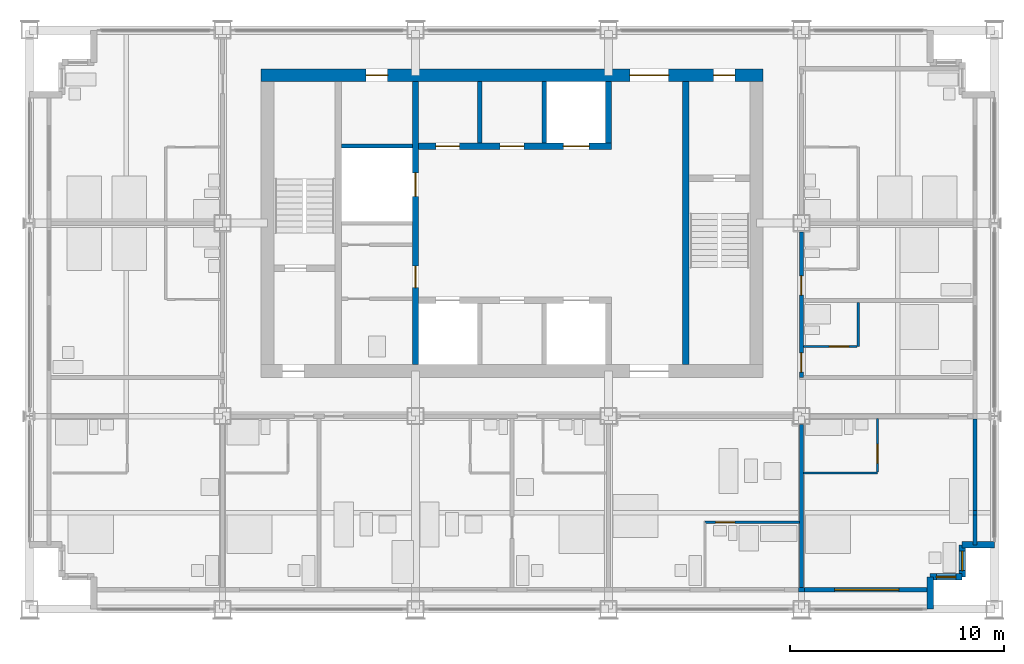
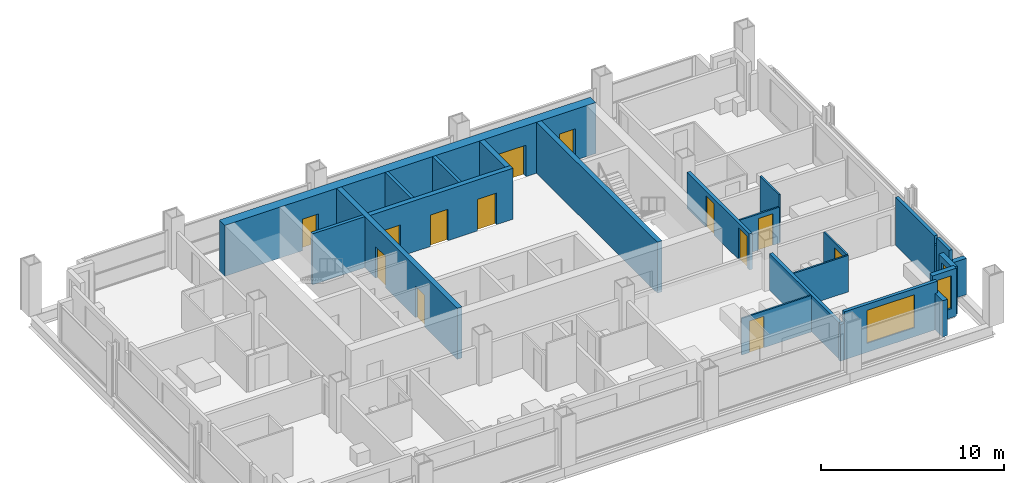
# One storey, part 9 of 13: 24 walls, 13 doors, 3 windows, 16 openings.
"""IFC4 building model written with IfcOpenShell, lengths in metres."""

import ifcopenshell
import ifcopenshell.guid

model = None  # the IFC model being written
_history = None  # IfcOwnerHistory: only IFC2X3 demands one
_inside = {}  # id of a spatial element -> (the spatial element, [elements in it])
_under = {}  # id of a project, library or spatial element -> (it, [spatial elements below it])
_declared = {}  # id of a project -> (the project, [libraries it declares])
_typed = {}  # id of a type object -> (the type object, [elements of that type])
_made_of = {}  # id of a material, layer set ... -> (it, [elements and type objects made of it])


def new_model(schema):
    """Start an empty IFC model of exactly this schema.

    Asked for "IFC4X3", IfcOpenShell would pick the latest addendum, in which some entities
    have other attributes; the version numbers below select the first issue.
    IFC2X3 requires an IfcOwnerHistory on every rooted entity: one is made here for all.
    """
    global model, _history
    if schema == "IFC4X3":
        model = ifcopenshell.file(schema_version=(4, 3, 0, 0))
    else:
        model = ifcopenshell.file(schema=schema)
    _inside.clear()
    _under.clear()
    _declared.clear()
    _typed.clear()
    _made_of.clear()
    _history = None
    if model.schema == "IFC2X3":
        org = make("IfcOrganization", Name="unknown")
        user = make(
            "IfcPersonAndOrganization",
            ThePerson=make("IfcPerson", FamilyName="unknown"),
            TheOrganization=org,
        )
        app = make(
            "IfcApplication",
            ApplicationDeveloper=org,
            Version="unknown",
            ApplicationFullName="unknown",
            ApplicationIdentifier="unknown",
        )
        _history = make(
            "IfcOwnerHistory",
            OwningUser=user,
            OwningApplication=app,
            ChangeAction="ADDED",
            CreationDate=0,
        )
    return model


def make(cls, **values):
    """One entity of the class cls with the attributes given. An attribute that is None is left unset."""
    return model.create_entity(
        cls, **{name: value for name, value in values.items() if value is not None}
    )


def rooted(cls, **values):
    """An entity with a GlobalId (a new one), such as an element, a storey or a relation."""
    return make(cls, GlobalId=ifcopenshell.guid.new(), OwnerHistory=_history, **values)


def si_unit(unit_type, name, prefix=None):
    """IfcSIUnit, for example si_unit("LENGTHUNIT", "METRE", prefix="MILLI")."""
    return make("IfcSIUnit", UnitType=unit_type, Prefix=prefix, Name=name)


def assignment(units):
    """IfcUnitAssignment: the units of a project."""
    return None if units is None else make("IfcUnitAssignment", Units=units)


def point(xyz):
    """IfcCartesianPoint."""
    return None if xyz is None else make("IfcCartesianPoint", Coordinates=xyz)


def direction(xyz):
    """IfcDirection."""
    return None if xyz is None else make("IfcDirection", DirectionRatios=xyz)


def frame(location, z_axis=None, x_axis=None):
    """IfcAxis2Placement3D, a coordinate frame: its origin and axes. An axis left out is left unset."""
    return make(
        "IfcAxis2Placement3D",
        Location=point(location),
        Axis=direction(z_axis),
        RefDirection=direction(x_axis),
    )


def frame_2d(location, x_axis=None):
    """IfcAxis2Placement2D, a coordinate frame in the plane: its origin and x axis."""
    return make(
        "IfcAxis2Placement2D", Location=point(location), RefDirection=direction(x_axis)
    )


def origin():
    """The frame at (0, 0, 0) with its axes left unset."""
    return frame((0.0, 0.0, 0.0))


def place(relative_to, where):
    """IfcLocalPlacement: puts the frame where relative to a parent placement (None: the world)."""
    return make(
        "IfcLocalPlacement", PlacementRelTo=relative_to, RelativePlacement=where
    )


def context(
    kind, dimensions, precision=None, world=None, true_north=None, identifier=None
):
    """IfcGeometricRepresentationContext, for example the 3D "Model" context."""
    return make(
        "IfcGeometricRepresentationContext",
        ContextIdentifier=identifier,
        ContextType=kind,
        CoordinateSpaceDimension=dimensions,
        Precision=precision,
        WorldCoordinateSystem=world,
        TrueNorth=true_north,
    )


def subcontext(parent, identifier, kind, view, scale=None):
    """IfcGeometricRepresentationSubContext, for example "Body" below "Model"."""
    return make(
        "IfcGeometricRepresentationSubContext",
        ContextIdentifier=identifier,
        ContextType=kind,
        ParentContext=parent,
        TargetScale=scale,
        TargetView=view,
    )


def project(units=None, contexts=None):
    """IfcProject with its units and contexts."""
    return rooted(
        "IfcProject",
        Name="project",
        RepresentationContexts=contexts,
        UnitsInContext=assignment(units),
    )


def spatial(cls, under=None, at=None, **own):
    """A site, building, storey or space (cls), placed at a placement, below another one or the project."""
    s = rooted(cls, ObjectPlacement=at, **own)
    if under is not None:
        _under.setdefault(under.id(), (under, []))[1].append(s)
    return s


def profile(cls, at=None, kind="AREA", **sizes):
    """A parametric profile (cls). Its sizes go by their IFC names, for example OverallWidth=200.0."""
    return make(cls, ProfileType=kind, Position=at, **sizes)


def rectangle(**sizes):
    """IfcRectangleProfileDef."""
    return profile("IfcRectangleProfileDef", **sizes)


def extrude(swept, where, along, depth):
    """IfcExtrudedAreaSolid: the profile swept, set in the frame where, extruded along a direction by depth."""
    return make(
        "IfcExtrudedAreaSolid",
        SweptArea=swept,
        Position=where,
        ExtrudedDirection=direction(along),
        Depth=depth,
    )


def shape(context_of_items, identifier, shape_type, items):
    """IfcShapeRepresentation: the items that make up one representation, for example the "Body"."""
    return make(
        "IfcShapeRepresentation",
        ContextOfItems=context_of_items,
        RepresentationIdentifier=identifier,
        RepresentationType=shape_type,
        Items=items,
    )


def material(Name=None, Category=None):
    """IfcMaterial."""
    return make("IfcMaterial", Name=Name, Category=Category)


def layer(
    of_material, thickness, ventilated=None, Name=None, Category=None, Priority=None
):
    """IfcMaterialLayer: one layer of a wall or slab, of a material (None: an air gap)."""
    return make(
        "IfcMaterialLayer",
        Material=of_material,
        LayerThickness=thickness,
        IsVentilated=ventilated,
        Name=Name,
        Category=Category,
        Priority=Priority,
    )


def layer_set(layers, Name=None):
    """IfcMaterialLayerSet."""
    return make("IfcMaterialLayerSet", MaterialLayers=layers, LayerSetName=Name)


def made_of(thing, what):
    """Note that an element or type object is made of a material, layer set ...; save() writes the relation."""
    if what is not None:
        _made_of.setdefault(what.id(), (what, []))[1].append(thing)
    return thing


def type_object(cls, material=None, **own):
    """A type object (cls), such as IfcWallType, which elements share."""
    return made_of(rooted(cls, **own), material)


def element(
    cls,
    number,
    at=None,
    inside=None,
    cuts=None,
    type_object=None,
    material=None,
    context=None,
    identifier="Body",
    shape_type=None,
    held_by="IfcProductDefinitionShape",
    body=None,
    shapes=None,
    **own,
):
    """One element of the class cls, such as IfcWall. Its Tag is "e" and its number.

    at: its placement. inside: the storey or other place that contains it. cuts: it is an
    opening in that element (IfcRelVoidsElement). A single representation is given by context,
    identifier, shape_type and body (its items); several are given by shapes. held_by: the class
    of the entity that holds the representations. save() writes the other relations.
    """
    e = rooted(cls, Tag="e%d" % number, ObjectPlacement=at, **own)
    if body is not None:
        shapes = [shape(context, identifier, shape_type, body)]
    if shapes is not None:
        e.Representation = make(held_by, Representations=shapes)
    if inside is not None:
        _inside.setdefault(inside.id(), (inside, []))[1].append(e)
    if cuts is not None:
        rooted(
            "IfcRelVoidsElement", RelatingBuildingElement=cuts, RelatedOpeningElement=e
        )
    if type_object is not None:
        _typed.setdefault(type_object.id(), (type_object, []))[1].append(e)
    return made_of(e, material)


def fill(opening, filler):
    """IfcRelFillsElement: the door or window that sits in an opening."""
    return rooted(
        "IfcRelFillsElement",
        RelatingOpeningElement=opening,
        RelatedBuildingElement=filler,
    )


def aggregate(whole, parts):
    """IfcRelAggregates: a whole, such as a stair, and the parts it consists of."""
    return rooted("IfcRelAggregates", RelatingObject=whole, RelatedObjects=parts)


def save(model, path):
    """Write the relations noted so far, then the file.

    IfcRelAggregates (storeys below a building ...), IfcRelContainedInSpatialStructure (elements
    in a storey), IfcRelDefinesByType, IfcRelAssociatesMaterial and IfcRelDeclares: one each for
    every whole, place, type object, material and project.
    """
    for whole, parts in _under.values():
        aggregate(whole, parts)
    for where, things in _inside.values():
        rooted(
            "IfcRelContainedInSpatialStructure",
            RelatedElements=things,
            RelatingStructure=where,
        )
    for kind, things in _typed.values():
        rooted("IfcRelDefinesByType", RelatedObjects=things, RelatingType=kind)
    for what, things in _made_of.values():
        rooted("IfcRelAssociatesMaterial", RelatedObjects=things, RelatingMaterial=what)
    for by, libraries in _declared.values():
        rooted("IfcRelDeclares", RelatingContext=by, RelatedDefinitions=libraries)
    model.write(path)


model = new_model("IFC4")

# Units and contexts
model_context = context("Model", 3, precision=1e-05, world=origin(), true_north=direction((0.0, 1.0)))
body_context = subcontext(model_context, "Body", "Model", "MODEL_VIEW")
ifc_project = project(units=[si_unit("LENGTHUNIT", "METRE"), si_unit("AREAUNIT", "SQUARE_METRE"), si_unit("VOLUMEUNIT", "CUBIC_METRE"), si_unit("PLANEANGLEUNIT", "RADIAN"), si_unit("MASSUNIT", "GRAM", prefix="KILO")], contexts=[model_context])

# Site, building, storey
site_placement = place(None, origin())
site = spatial("IfcSite", under=ifc_project, at=site_placement, CompositionType="ELEMENT")
building_placement = place(site_placement, origin())
building = spatial("IfcBuilding", under=site, at=building_placement, Name="Loomwork Tower", CompositionType="ELEMENT")
storey_placement = place(building_placement, frame((0.0, 0.0, 194.39990234375)))
storey = spatial("IfcBuildingStorey", under=building, at=storey_placement, Name="L53", CompositionType="ELEMENT", Elevation=194.39990234375)

# Wall, openings, doors
ifc_material_1 = material(Name="Concrete 14000 psi (97 MPa)", Category="concrete")
ifc_layer_1 = layer(ifc_material_1, 0.300048828125)
ifc_layer_set_1 = layer_set([ifc_layer_1], Name="Core shear wall 300")
wall_type_1 = type_object("IfcWallType", Name="Core shear wall 300", PredefinedType="SHEAR", material=ifc_layer_set_1)
wall_1_placement = place(storey_placement, frame((18.0, 11.39990234375, 0.0), z_axis=(0.0, 0.0, 1.0), x_axis=(0.0, 1.0, 0.0)))
wall_1 = element("IfcWall", 1, at=wall_1_placement, inside=storey, type_object=wall_type_1, Name="Lobby west wall L53", PredefinedType="SHEAR", context=body_context, shape_type="SweptSolid", body=[
    extrude(rectangle(XDim=13.2001953125, YDim=0.300048828125, at=frame_2d((6.60009765625, 0.0))), origin(), (0.0, 0.0, 1.0), 3.400146484375),
])
opening_1_placement = place(wall_1_placement, frame((3.60009765625, 0.0, 0.0)))
opening_1 = element("IfcOpeningElement", 2, at=opening_1_placement, cuts=wall_1, Name="Opening D5", PredefinedType="OPENING", context=body_context, shape_type="SweptSolid", body=[
    extrude(rectangle(XDim=1.0, YDim=2.10009765625, at=frame_2d((0.5, 1.050048828125))), frame((0.0, 0.159912109375, 0.0), z_axis=(0.0, -1.0, 0.0), x_axis=(1.0, 0.0, 0.0)), (0.0, 0.0, 1.0), 0.320068359375),
])
opening_2_placement = place(wall_1_placement, frame((7.85009765625, 0.0, 0.0)))
opening_2 = element("IfcOpeningElement", 3, at=opening_2_placement, cuts=wall_1, Name="Opening LD1", PredefinedType="OPENING", context=body_context, shape_type="SweptSolid", body=[
    extrude(rectangle(XDim=1.10009765625, YDim=2.10009765625, at=frame_2d((0.550048828125, 1.050048828125))), frame((0.0, 0.159912109375, 0.0), z_axis=(0.0, -1.0, 0.0), x_axis=(1.0, 0.0, 0.0)), (0.0, 0.0, 1.0), 0.320068359375),
])
ifc_material_2 = material(Name="Hollow metal door and frame")
door_type_1 = type_object("IfcDoorType", Name="Lift landing door 1100", OperationType="SLIDING_TO_LEFT", PredefinedType="DOOR", material=ifc_material_2)
door_1_placement = place(opening_2_placement, origin())
door_1 = element("IfcDoor", 4, at=door_1_placement, inside=storey, type_object=door_type_1, Name="Lift landing door LC2", OperationType="SLIDING_TO_LEFT", OverallHeight=2.10009765625, OverallWidth=1.10009765625, PredefinedType="DOOR", context=body_context, shape_type="SweptSolid", body=[
    extrude(rectangle(XDim=1.10009765625, YDim=2.10009765625, at=frame_2d((0.550048828125, 1.050048828125))), frame((0.0, 0.02490234375, 0.0), z_axis=(0.0, -1.0, 0.0), x_axis=(1.0, 0.0, 0.0)), (0.0, 0.0, 1.0), 0.050048828125),
])
fill(opening_2, door_1)
ifc_material_3 = material(Name="Hollow metal door and frame")
door_type_2 = type_object("IfcDoorType", Name="Service door 1000", OperationType="SINGLE_SWING_LEFT", PredefinedType="DOOR", material=ifc_material_3)
door_2_placement = place(opening_1_placement, origin())
door_2 = element("IfcDoor", 5, at=door_2_placement, inside=storey, type_object=door_type_2, Name="Back-of-house door south", OperationType="SINGLE_SWING_LEFT", OverallHeight=2.10009765625, OverallWidth=1.0, PredefinedType="DOOR", context=body_context, shape_type="SweptSolid", body=[
    extrude(rectangle(XDim=1.0, YDim=2.10009765625, at=frame_2d((0.5, 1.050048828125))), frame((0.0, 0.02490234375, 0.0), z_axis=(0.0, -1.0, 0.0), x_axis=(1.0, 0.0, 0.0)), (0.0, 0.0, 1.0), 0.050048828125),
])
fill(opening_1, door_2)

wall_2_placement = place(storey_placement, frame((18.14990234375, 21.60009765625, 0.0), z_axis=(0.0, 0.0, 1.0), x_axis=(1.0, 0.0, 0.0)))
wall_2 = element("IfcWall", 6, at=wall_2_placement, inside=storey, type_object=wall_type_1, Name="Lift front wall north L53", PredefinedType="SHEAR", context=body_context, shape_type="SweptSolid", body=[
    extrude(rectangle(XDim=9.0, YDim=0.300048828125, at=frame_2d((4.5, 0.0))), origin(), (0.0, 0.0, 1.0), 3.400146484375),
])
opening_3_placement = place(wall_2_placement, frame((6.75, 0.0, 0.0)))
opening_3 = element("IfcOpeningElement", 7, at=opening_3_placement, cuts=wall_2, Name="Opening LD2", PredefinedType="OPENING", context=body_context, shape_type="SweptSolid", body=[
    extrude(rectangle(XDim=1.199951171875, YDim=2.10009765625, at=frame_2d((0.60009765625, 1.050048828125))), frame((0.0, 0.159912109375, 0.0), z_axis=(0.0, -1.0, 0.0), x_axis=(1.0, 0.0, 0.0)), (0.0, 0.0, 1.0), 0.320068359375),
])
opening_4_placement = place(wall_2_placement, frame((0.800048828125, 0.0, 0.0)))
opening_4 = element("IfcOpeningElement", 8, at=opening_4_placement, cuts=wall_2, Name="Opening D17", PredefinedType="OPENING", context=body_context, shape_type="SweptSolid", body=[
    extrude(rectangle(XDim=1.10009765625, YDim=2.10009765625, at=frame_2d((0.550048828125, 1.050048828125))), frame((0.0, 0.159912109375, 0.0), z_axis=(0.0, -1.0, 0.0), x_axis=(1.0, 0.0, 0.0)), (0.0, 0.0, 1.0), 0.320068359375),
])
opening_5_placement = place(wall_2_placement, frame((3.800048828125, 0.0, 0.0)))
opening_5 = element("IfcOpeningElement", 9, at=opening_5_placement, cuts=wall_2, Name="Opening D17", PredefinedType="OPENING", context=body_context, shape_type="SweptSolid", body=[
    extrude(rectangle(XDim=1.10009765625, YDim=2.10009765625, at=frame_2d((0.550048828125, 1.050048828125))), frame((0.0, 0.159912109375, 0.0), z_axis=(0.0, -1.0, 0.0), x_axis=(1.0, 0.0, 0.0)), (0.0, 0.0, 1.0), 0.320068359375),
])
ifc_material_4 = material(Name="Hollow metal door and frame")
door_type_3 = type_object("IfcDoorType", Name="Lift landing door 1200", OperationType="SLIDING_TO_LEFT", PredefinedType="DOOR", material=ifc_material_4)
door_3_placement = place(opening_3_placement, origin())
door_3 = element("IfcDoor", 10, at=door_3_placement, inside=storey, type_object=door_type_3, Name="Lift landing door LF2", OperationType="SLIDING_TO_LEFT", OverallHeight=2.10009765625, OverallWidth=1.199951171875, PredefinedType="DOOR", context=body_context, shape_type="SweptSolid", body=[
    extrude(rectangle(XDim=1.199951171875, YDim=2.10009765625, at=frame_2d((0.60009765625, 1.050048828125))), frame((0.0, 0.02490234375, 0.0), z_axis=(0.0, -1.0, 0.0), x_axis=(1.0, 0.0, 0.0)), (0.0, 0.0, 1.0), 0.050048828125),
])
fill(opening_3, door_3)
ifc_material_5 = material(Name="Hollow metal door and frame")
door_type_4 = type_object("IfcDoorType", Name="Service room door 1100", OperationType="SINGLE_SWING_LEFT", PredefinedType="DOOR", material=ifc_material_5)
door_4_placement = place(opening_4_placement, origin())
door_4 = element("IfcDoor", 11, at=door_4_placement, inside=storey, type_object=door_type_4, Name="Storage room door L53", OperationType="SINGLE_SWING_LEFT", OverallHeight=2.10009765625, OverallWidth=1.10009765625, PredefinedType="DOOR", context=body_context, shape_type="SweptSolid", body=[
    extrude(rectangle(XDim=1.10009765625, YDim=2.10009765625, at=frame_2d((0.550048828125, 1.050048828125))), frame((0.0, 0.02490234375, 0.0), z_axis=(0.0, -1.0, 0.0), x_axis=(1.0, 0.0, 0.0)), (0.0, 0.0, 1.0), 0.050048828125),
])
fill(opening_4, door_4)
door_5_placement = place(opening_5_placement, origin())
door_5 = element("IfcDoor", 12, at=door_5_placement, inside=storey, type_object=door_type_4, Name="Linen and housekeeping store door L53", OperationType="SINGLE_SWING_LEFT", OverallHeight=2.10009765625, OverallWidth=1.10009765625, PredefinedType="DOOR", context=body_context, shape_type="SweptSolid", body=[
    extrude(rectangle(XDim=1.10009765625, YDim=2.10009765625, at=frame_2d((0.550048828125, 1.050048828125))), frame((0.0, 0.02490234375, 0.0), z_axis=(0.0, -1.0, 0.0), x_axis=(1.0, 0.0, 0.0)), (0.0, 0.0, 1.0), 0.050048828125),
])
fill(opening_5, door_5)

# Walls
wall_3_placement = place(storey_placement, frame((27.0, 21.75, 0.0), z_axis=(0.0, 0.0, 1.0), x_axis=(0.0, 1.0, 0.0)))
element("IfcWall", 13, at=wall_3_placement, inside=storey, type_object=wall_type_1, Name="Lift shaft end wall north L53", PredefinedType="SHEAR", context=body_context, shape_type="SweptSolid", body=[
    extrude(rectangle(XDim=2.85009765625, YDim=0.300048828125, at=frame_2d((1.425048828125, 0.0))), origin(), (0.0, 0.0, 1.0), 3.400146484375),
])
wall_4_placement = place(storey_placement, frame((30.60009765625, 11.39990234375, 0.0), z_axis=(0.0, 0.0, 1.0), x_axis=(0.0, 1.0, 0.0)))
element("IfcWall", 14, at=wall_4_placement, inside=storey, type_object=wall_type_1, Name="Stair B west wall L53", PredefinedType="SHEAR", context=body_context, shape_type="SweptSolid", body=[
    extrude(rectangle(XDim=13.2001953125, YDim=0.300048828125, at=frame_2d((6.60009765625, 0.0))), origin(), (0.0, 0.0, 1.0), 3.400146484375),
])

# Wall, openings, doors
ifc_material_6 = material(Name="Concrete 14000 psi (97 MPa)", Category="concrete")
ifc_layer_2 = layer(ifc_material_6, 0.60009765625)
ifc_layer_set_2 = layer_set([ifc_layer_2], Name="Core shear wall 600")
wall_type_2 = type_object("IfcWallType", Name="Core shear wall 600", PredefinedType="SHEAR", material=ifc_layer_set_2)
wall_5_placement = place(storey_placement, frame((10.800048828125, 24.89990234375, 0.0), z_axis=(0.0, 0.0, 1.0), x_axis=(1.0, 0.0, 0.0)))
wall_5 = element("IfcWall", 15, at=wall_5_placement, inside=storey, type_object=wall_type_2, Name="Core wall north L53", PredefinedType="SHEAR", context=body_context, shape_type="SweptSolid", body=[
    extrude(rectangle(XDim=23.39990234375, YDim=0.60009765625, at=frame_2d((11.699951171875, 0.0))), origin(), (0.0, 0.0, 1.0), 3.400146484375),
])
opening_6_placement = place(wall_5_placement, frame((17.199951171875, 0.0, 0.0)))
opening_6 = element("IfcOpeningElement", 16, at=opening_6_placement, cuts=wall_5, Name="Opening D6", PredefinedType="OPENING", context=body_context, shape_type="SweptSolid", body=[
    extrude(rectangle(XDim=1.800048828125, YDim=2.10009765625, at=frame_2d((0.89990234375, 1.050048828125))), frame((0.0, 0.31005859375, 0.0), z_axis=(0.0, -1.0, 0.0), x_axis=(1.0, 0.0, 0.0)), (0.0, 0.0, 1.0), 0.6201171875),
])
opening_7_placement = place(wall_5_placement, frame((21.10009765625, 0.0, 0.0)))
opening_7 = element("IfcOpeningElement", 17, at=opening_7_placement, cuts=wall_5, Name="Opening D4", PredefinedType="OPENING", context=body_context, shape_type="SweptSolid", body=[
    extrude(rectangle(XDim=1.0, YDim=2.10009765625, at=frame_2d((0.5, 1.050048828125))), frame((0.0, 0.31005859375, 0.0), z_axis=(0.0, -1.0, 0.0), x_axis=(1.0, 0.0, 0.0)), (0.0, 0.0, 1.0), 0.6201171875),
])
opening_8_placement = place(wall_5_placement, frame((4.89990234375, 0.0, 0.0)))
opening_8 = element("IfcOpeningElement", 18, at=opening_8_placement, cuts=wall_5, Name="Opening D5", PredefinedType="OPENING", context=body_context, shape_type="SweptSolid", body=[
    extrude(rectangle(XDim=1.0, YDim=2.10009765625, at=frame_2d((0.5, 1.050048828125))), frame((0.0, 0.31005859375, 0.0), z_axis=(0.0, -1.0, 0.0), x_axis=(1.0, 0.0, 0.0)), (0.0, 0.0, 1.0), 0.6201171875),
])
ifc_material_7 = material(Name="Hollow metal door and frame")
door_type_5 = type_object("IfcDoorType", Name="Lobby passage double door 1800", OperationType="DOUBLE_DOOR_SINGLE_SWING", PredefinedType="DOOR", material=ifc_material_7)
door_6_placement = place(opening_6_placement, frame((1.800048828125, 0.0, 0.0), z_axis=(0.0, 0.0, 1.0), x_axis=(-1.0, 0.0, 0.0)))
door_6 = element("IfcDoor", 19, at=door_6_placement, inside=storey, type_object=door_type_5, Name="Lobby passage door north", OperationType="DOUBLE_DOOR_SINGLE_SWING", OverallHeight=2.10009765625, OverallWidth=1.800048828125, PredefinedType="DOOR", context=body_context, shape_type="SweptSolid", body=[
    extrude(rectangle(XDim=1.800048828125, YDim=2.10009765625, at=frame_2d((0.89990234375, 1.050048828125))), frame((0.0, 0.02490234375, 0.0), z_axis=(0.0, -1.0, 0.0), x_axis=(1.0, 0.0, 0.0)), (0.0, 0.0, 1.0), 0.050048828125),
])
fill(opening_6, door_6)
door_7_placement = place(opening_8_placement, frame((1.0, 0.0, 0.0), z_axis=(0.0, 0.0, 1.0), x_axis=(-1.0, 0.0, 0.0)))
door_7 = element("IfcDoor", 20, at=door_7_placement, inside=storey, type_object=door_type_2, Name="Back-of-house door north", OperationType="SINGLE_SWING_LEFT", OverallHeight=2.10009765625, OverallWidth=1.0, PredefinedType="DOOR", context=body_context, shape_type="SweptSolid", body=[
    extrude(rectangle(XDim=1.0, YDim=2.10009765625, at=frame_2d((0.5, 1.050048828125))), frame((0.0, 0.02490234375, 0.0), z_axis=(0.0, -1.0, 0.0), x_axis=(1.0, 0.0, 0.0)), (0.0, 0.0, 1.0), 0.050048828125),
])
fill(opening_8, door_7)
ifc_material_8 = material(Name="Hollow metal door and frame")
door_type_6 = type_object("IfcDoorType", Name="Stair door 1000", OperationType="SINGLE_SWING_RIGHT", PredefinedType="DOOR", material=ifc_material_8)
door_8_placement = place(opening_7_placement, frame((1.0, 0.0, 0.0), z_axis=(0.0, 0.0, 1.0), x_axis=(-1.0, 0.0, 0.0)))
door_8 = element("IfcDoor", 21, at=door_8_placement, inside=storey, type_object=door_type_6, Name="Stair B vestibule door", OperationType="SINGLE_SWING_LEFT", OverallHeight=2.10009765625, OverallWidth=1.0, PredefinedType="DOOR", context=body_context, shape_type="SweptSolid", body=[
    extrude(rectangle(XDim=1.0, YDim=2.10009765625, at=frame_2d((0.5, 1.050048828125))), frame((0.0, 0.02490234375, 0.0), z_axis=(0.0, -1.0, 0.0), x_axis=(1.0, 0.0, 0.0)), (0.0, 0.0, 1.0), 0.050048828125),
])
fill(opening_7, door_8)

ifc_material_9 = material(Name="Gypsum board on steel studs, one-hour", Category="steel")
ifc_layer_3 = layer(ifc_material_9, 0.199951171875)
ifc_layer_set_3 = layer_set([ifc_layer_3], Name="Corridor wall 200")
wall_type_3 = type_object("IfcWallType", Name="Corridor wall 200", PredefinedType="PARTITIONING", material=ifc_layer_set_3)
wall_6_placement = place(storey_placement, frame((36.0, 10.800048828125, 0.0), z_axis=(0.0, 0.0, 1.0), x_axis=(0.0, 1.0, 0.0)))
wall_6 = element("IfcWall", 22, at=wall_6_placement, inside=storey, type_object=wall_type_3, Name="East corridor wall 1", PredefinedType="PARTITIONING", context=body_context, shape_type="SweptSolid", body=[
    extrude(rectangle(XDim=6.800048828125, YDim=0.199951171875, at=frame_2d((3.39990234375, 0.0))), origin(), (0.0, 0.0, 1.0), 2.405029296875),
])
opening_9_placement = place(wall_6_placement, frame((0.25, 0.0, 0.0)))
opening_9 = element("IfcOpeningElement", 23, at=opening_9_placement, cuts=wall_6, Name="Opening D1", PredefinedType="OPENING", context=body_context, shape_type="SweptSolid", body=[
    extrude(rectangle(XDim=0.89990234375, YDim=2.10009765625, at=frame_2d((0.449951171875, 1.050048828125))), frame((0.0, 0.10986328125, 0.0), z_axis=(0.0, -1.0, 0.0), x_axis=(1.0, 0.0, 0.0)), (0.0, 0.0, 1.0), 0.219970703125),
])
opening_10_placement = place(wall_6_placement, frame((3.85009765625, 0.0, 0.0)))
opening_10 = element("IfcOpeningElement", 24, at=opening_10_placement, cuts=wall_6, Name="Opening D1", PredefinedType="OPENING", context=body_context, shape_type="SweptSolid", body=[
    extrude(rectangle(XDim=0.89990234375, YDim=2.10009765625, at=frame_2d((0.449951171875, 1.050048828125))), frame((0.0, 0.10986328125, 0.0), z_axis=(0.0, -1.0, 0.0), x_axis=(1.0, 0.0, 0.0)), (0.0, 0.0, 1.0), 0.219970703125),
])
ifc_material_10 = material(Name="Hollow metal door and frame")
door_type_7 = type_object("IfcDoorType", Name="Guest room entry door 900", OperationType="SINGLE_SWING_LEFT", PredefinedType="DOOR", material=ifc_material_10)
door_9_placement = place(opening_9_placement, frame((0.89990234375, 0.0, 0.0), z_axis=(0.0, 0.0, 1.0), x_axis=(-1.0, 0.0, 0.0)))
door_9 = element("IfcDoor", 25, at=door_9_placement, inside=storey, type_object=door_type_7, Name="Guest room entry door L53 9", OperationType="SINGLE_SWING_RIGHT", OverallHeight=2.10009765625, OverallWidth=0.89990234375, PredefinedType="DOOR", context=body_context, shape_type="SweptSolid", body=[
    extrude(rectangle(XDim=0.89990234375, YDim=2.10009765625, at=frame_2d((0.449951171875, 1.050048828125))), frame((0.0, 0.02490234375, 0.0), z_axis=(0.0, -1.0, 0.0), x_axis=(1.0, 0.0, 0.0)), (0.0, 0.0, 1.0), 0.050048828125),
])
fill(opening_9, door_9)
door_10_placement = place(opening_10_placement, frame((0.89990234375, 0.0, 0.0), z_axis=(0.0, 0.0, 1.0), x_axis=(-1.0, 0.0, 0.0)))
door_10 = element("IfcDoor", 26, at=door_10_placement, inside=storey, type_object=door_type_7, Name="Guest room entry door L53 10", OperationType="SINGLE_SWING_RIGHT", OverallHeight=2.10009765625, OverallWidth=0.89990234375, PredefinedType="DOOR", context=body_context, shape_type="SweptSolid", body=[
    extrude(rectangle(XDim=0.89990234375, YDim=2.10009765625, at=frame_2d((0.449951171875, 1.050048828125))), frame((0.0, 0.02490234375, 0.0), z_axis=(0.0, -1.0, 0.0), x_axis=(1.0, 0.0, 0.0)), (0.0, 0.0, 1.0), 0.050048828125),
])
fill(opening_10, door_10)

# Wall, opening, door
ifc_material_11 = material(Name="Cement board on steel studs", Category="steel")
ifc_layer_4 = layer(ifc_material_11, 0.10009765625)
ifc_layer_set_4 = layer_set([ifc_layer_4], Name="En-suite partition 100")
wall_type_4 = type_object("IfcWallType", Name="En-suite partition 100", PredefinedType="PARTITIONING", material=ifc_layer_set_4)
wall_7_placement = place(storey_placement, frame((31.5, 4.050048828125, 0.0), z_axis=(0.0, 0.0, 1.0), x_axis=(1.0, 0.0, 0.0)))
wall_7 = element("IfcWall", 27, at=wall_7_placement, inside=storey, type_object=wall_type_4, Name="Spa bathroom wall L53 room 5", PredefinedType="PARTITIONING", context=body_context, shape_type="SweptSolid", body=[
    extrude(rectangle(XDim=4.39990234375, YDim=0.10009765625, at=frame_2d((2.199951171875, 0.0))), origin(), (0.0, 0.0, 1.0), 2.43798828125),
])
opening_11_placement = place(wall_7_placement, frame((0.5, 0.0, 0.0)))
opening_11 = element("IfcOpeningElement", 28, at=opening_11_placement, cuts=wall_7, Name="Opening D2", PredefinedType="OPENING", context=body_context, shape_type="SweptSolid", body=[
    extrude(rectangle(XDim=0.89990234375, YDim=2.10009765625, at=frame_2d((0.449951171875, 1.050048828125))), frame((0.0, 0.06005859375, 0.0), z_axis=(0.0, -1.0, 0.0), x_axis=(1.0, 0.0, 0.0)), (0.0, 0.0, 1.0), 0.1201171875),
])
ifc_material_12 = material(Name="Hollow metal door and frame")
door_type_8 = type_object("IfcDoorType", Name="En-suite door 900", OperationType="SINGLE_SWING_LEFT", PredefinedType="DOOR", material=ifc_material_12)
door_11_placement = place(opening_11_placement, frame((0.89990234375, 0.0, 0.0), z_axis=(0.0, 0.0, 1.0), x_axis=(-1.0, 0.0, 0.0)))
door_11 = element("IfcDoor", 29, at=door_11_placement, inside=storey, type_object=door_type_8, Name="Spa bathroom door room 5", OperationType="SINGLE_SWING_RIGHT", OverallHeight=2.10009765625, OverallWidth=0.89990234375, PredefinedType="DOOR", context=body_context, shape_type="SweptSolid", body=[
    extrude(rectangle(XDim=0.89990234375, YDim=2.10009765625, at=frame_2d((0.449951171875, 1.050048828125))), frame((0.0, 0.02490234375, 0.0), z_axis=(0.0, -1.0, 0.0), x_axis=(1.0, 0.0, 0.0)), (0.0, 0.0, 1.0), 0.050048828125),
])
fill(opening_11, door_11)

# Wall
wall_8_placement = place(storey_placement, frame((36.10009765625, 6.35009765625, 0.0), z_axis=(0.0, 0.0, 1.0), x_axis=(1.0, 0.0, 0.0)))
element("IfcWall", 30, at=wall_8_placement, inside=storey, type_object=wall_type_4, Name="En-suite wall L53 room 6", PredefinedType="PARTITIONING", context=body_context, shape_type="SweptSolid", body=[
    extrude(rectangle(XDim=3.449951171875, YDim=0.10009765625, at=frame_2d((1.72509765625, 0.0))), origin(), (0.0, 0.0, 1.0), 2.43798828125),
])

# Wall, opening, door
wall_9_placement = place(storey_placement, frame((39.550048828125, 8.89990234375, 0.0), z_axis=(0.0, 0.0, 1.0), x_axis=(0.0, -1.0, 0.0)))
wall_9 = element("IfcWall", 31, at=wall_9_placement, inside=storey, type_object=wall_type_4, Name="En-suite side wall L53 room 6", PredefinedType="PARTITIONING", context=body_context, shape_type="SweptSolid", body=[
    extrude(rectangle(XDim=2.5, YDim=0.10009765625, at=frame_2d((1.25, 0.0))), origin(), (0.0, 0.0, 1.0), 2.43798828125),
])
opening_12_placement = place(wall_9_placement, frame((1.199951171875, 0.0, 0.0)))
opening_12 = element("IfcOpeningElement", 32, at=opening_12_placement, cuts=wall_9, Name="Opening D2", PredefinedType="OPENING", context=body_context, shape_type="SweptSolid", body=[
    extrude(rectangle(XDim=0.89990234375, YDim=2.10009765625, at=frame_2d((0.449951171875, 1.050048828125))), frame((0.0, 0.06005859375, 0.0), z_axis=(0.0, -1.0, 0.0), x_axis=(1.0, 0.0, 0.0)), (0.0, 0.0, 1.0), 0.1201171875),
])
door_12_placement = place(opening_12_placement, frame((0.89990234375, 0.0, 0.0), z_axis=(0.0, 0.0, 1.0), x_axis=(-1.0, 0.0, 0.0)))
door_12 = element("IfcDoor", 33, at=door_12_placement, inside=storey, type_object=door_type_8, Name="En-suite door room 6", OperationType="SINGLE_SWING_LEFT", OverallHeight=2.10009765625, OverallWidth=0.89990234375, PredefinedType="DOOR", context=body_context, shape_type="SweptSolid", body=[
    extrude(rectangle(XDim=0.89990234375, YDim=2.10009765625, at=frame_2d((0.449951171875, 1.050048828125))), frame((0.0, 0.02490234375, 0.0), z_axis=(0.0, -1.0, 0.0), x_axis=(1.0, 0.0, 0.0)), (0.0, 0.0, 1.0), 0.050048828125),
])
fill(opening_12, door_12)

# Wall
wall_10_placement = place(storey_placement, frame((38.64990234375, 12.25, 0.0), z_axis=(0.0, 0.0, 1.0), x_axis=(0.0, 1.0, 0.0)))
element("IfcWall", 34, at=wall_10_placement, inside=storey, type_object=wall_type_4, Name="En-suite wall L53 room 9", PredefinedType="PARTITIONING", context=body_context, shape_type="SweptSolid", body=[
    extrude(rectangle(XDim=2.050048828125, YDim=0.10009765625, at=frame_2d((1.02490234375, 0.0))), origin(), (0.0, 0.0, 1.0), 3.2001953125),
])

# Wall, opening, door
wall_11_placement = place(storey_placement, frame((36.10009765625, 12.25, 0.0), z_axis=(0.0, 0.0, 1.0), x_axis=(1.0, 0.0, 0.0)))
wall_11 = element("IfcWall", 35, at=wall_11_placement, inside=storey, type_object=wall_type_4, Name="En-suite side wall L53 room 9", PredefinedType="PARTITIONING", context=body_context, shape_type="SweptSolid", body=[
    extrude(rectangle(XDim=2.5, YDim=0.10009765625, at=frame_2d((1.25, 0.0))), origin(), (0.0, 0.0, 1.0), 2.404052734375),
])
opening_13_placement = place(wall_11_placement, frame((1.199951171875, 0.0, 0.0)))
opening_13 = element("IfcOpeningElement", 36, at=opening_13_placement, cuts=wall_11, Name="Opening D3", PredefinedType="OPENING", context=body_context, shape_type="SweptSolid", body=[
    extrude(rectangle(XDim=0.89990234375, YDim=2.10009765625, at=frame_2d((0.449951171875, 1.050048828125))), frame((0.0, 0.06005859375, 0.0), z_axis=(0.0, -1.0, 0.0), x_axis=(1.0, 0.0, 0.0)), (0.0, 0.0, 1.0), 0.1201171875),
])
ifc_material_13 = material(Name="Hollow metal door and frame")
door_type_9 = type_object("IfcDoorType", Name="Accessible en-suite door 900", OperationType="SLIDING_TO_LEFT", PredefinedType="DOOR", material=ifc_material_13)
door_13_placement = place(opening_13_placement, origin())
door_13 = element("IfcDoor", 37, at=door_13_placement, inside=storey, type_object=door_type_9, Name="Accessible en-suite door room 9", OperationType="SLIDING_TO_LEFT", OverallHeight=2.10009765625, OverallWidth=0.89990234375, PredefinedType="DOOR", context=body_context, shape_type="SweptSolid", body=[
    extrude(rectangle(XDim=0.89990234375, YDim=2.10009765625, at=frame_2d((0.449951171875, 1.050048828125))), frame((0.0, 0.02490234375, 0.0), z_axis=(0.0, -1.0, 0.0), x_axis=(1.0, 0.0, 0.0)), (0.0, 0.0, 1.0), 0.050048828125),
])
fill(opening_13, door_13)

# Walls
ifc_material_14 = material(Name="Gypsum board on steel studs, acoustic", Category="steel")
ifc_layer_5 = layer(ifc_material_14, 0.199951171875)
ifc_layer_set_5 = layer_set([ifc_layer_5], Name="Guest room party wall 200")
wall_type_5 = type_object("IfcWallType", Name="Guest room party wall 200", PredefinedType="PARTITIONING", material=ifc_layer_set_5)
wall_12_placement = place(storey_placement, frame((36.0, 8.60009765625, 0.0), z_axis=(0.0, 0.0, 1.0), x_axis=(0.0, -1.0, 0.0)))
element("IfcWall", 38, at=wall_12_placement, inside=storey, type_object=wall_type_5, Name="Guest room party wall S 36", PredefinedType="PARTITIONING", context=body_context, shape_type="SweptSolid", body=[
    extrude(rectangle(XDim=7.60009765625, YDim=0.199951171875, at=frame_2d((3.800048828125, 0.0))), origin(), (0.0, 0.0, 1.0), 2.43798828125),
])
ifc_material_15 = material(Name="Insulated steel stud wall with gypsum lining", Category="steel")
ifc_layer_6 = layer(ifc_material_15, 0.199951171875)
ifc_layer_set_6 = layer_set([ifc_layer_6], Name="Inner skin wall 200")
wall_type_6 = type_object("IfcWallType", Name="Inner skin wall 200", PredefinedType="SOLIDWALL", material=ifc_layer_set_6)
wall_13_placement = place(storey_placement, frame((44.10009765625, 3.0, 0.0), z_axis=(0.0, 0.0, 1.0), x_axis=(0.0, 1.0, 0.0)))
element("IfcWall", 39, at=wall_13_placement, inside=storey, type_object=wall_type_6, Name="Inner skin wall E", PredefinedType="SOLIDWALL", context=body_context, shape_type="SweptSolid", body=[
    extrude(rectangle(XDim=1.392578125, YDim=0.199951171875, at=frame_2d((0.6962890625, 0.0))), origin(), (0.0, 0.0, 1.0), 3.2001953125),
])
wall_14_placement = place(storey_placement, frame((35.864501953125, 0.89990234375, 0.0), z_axis=(0.0, 0.0, 1.0), x_axis=(1.0, 0.0, 0.0)))
element("IfcWall", 40, at=wall_14_placement, inside=storey, type_object=wall_type_6, Name="Inner skin wall S bay 8", PredefinedType="SOLIDWALL", context=body_context, shape_type="SweptSolid", body=[
    extrude(rectangle(XDim=0.27099609375, YDim=0.199951171875, at=frame_2d((0.135498046875, 0.0))), origin(), (0.0, 0.0, 1.0), 2.43798828125),
])

# Wall, opening, window
wall_15_placement = place(storey_placement, frame((36.135498046875, 0.89990234375, 0.0), z_axis=(0.0, 0.0, 1.0), x_axis=(1.0, 0.0, 0.0)))
wall_15 = element("IfcWall", 41, at=wall_15_placement, inside=storey, type_object=wall_type_6, Name="Inner skin wall S bay 9", PredefinedType="SOLIDWALL", context=body_context, shape_type="SweptSolid", body=[
    extrude(rectangle(XDim=5.864501953125, YDim=0.199951171875, at=frame_2d((2.93212890625, 0.0))), origin(), (0.0, 0.0, 1.0), 3.2001953125),
])
opening_14_placement = place(wall_15_placement, frame((1.41455078125, 0.0, 0.60009765625)))
opening_14 = element("IfcOpeningElement", 42, at=opening_14_placement, cuts=wall_15, Name="Opening CH1", PredefinedType="OPENING", context=body_context, shape_type="SweptSolid", body=[
    extrude(rectangle(XDim=3.0, YDim=2.199951171875, at=frame_2d((1.5, 1.10009765625))), frame((0.0, 0.10986328125, 0.0), z_axis=(0.0, -1.0, 0.0), x_axis=(1.0, 0.0, 0.0)), (0.0, 0.0, 1.0), 0.219970703125),
])
ifc_material_16 = material(Name="Aluminium frame with clear insulated glass", Category="aluminium")
window_type_1 = type_object("IfcWindowType", Name="Chicago window 3000", PartitioningType="TRIPLE_PANEL_VERTICAL", PredefinedType="WINDOW", material=ifc_material_16)
window_1_placement = place(opening_14_placement, origin())
window_1 = element("IfcWindow", 43, at=window_1_placement, inside=storey, type_object=window_type_1, Name="Chicago window L53 bay 5", OverallHeight=2.199951171875, OverallWidth=3.0, PartitioningType="TRIPLE_PANEL_VERTICAL", PredefinedType="WINDOW", context=body_context, shape_type="SweptSolid", body=[
    extrude(rectangle(XDim=3.0, YDim=2.199951171875, at=frame_2d((1.5, 1.10009765625))), frame((0.0, 0.030029296875, 0.0), z_axis=(0.0, -1.0, 0.0), x_axis=(1.0, 0.0, 0.0)), (0.0, 0.0, 1.0), 0.06005859375),
])
fill(opening_14, window_1)

# Walls
wall_16_placement = place(storey_placement, frame((44.10009765625, 4.392578125, 0.0), z_axis=(0.0, 0.0, 1.0), x_axis=(0.0, 1.0, 0.0)))
element("IfcWall", 44, at=wall_16_placement, inside=storey, type_object=wall_type_6, Name="Inner skin wall E bay 2", PredefinedType="SOLIDWALL", context=body_context, shape_type="SweptSolid", body=[
    extrude(rectangle(XDim=0.21484375, YDim=0.199951171875, at=frame_2d((0.107421875, 0.0))), origin(), (0.0, 0.0, 1.0), 2.6611328125),
])
wall_17_placement = place(storey_placement, frame((44.10009765625, 4.607421875, 0.0), z_axis=(0.0, 0.0, 1.0), x_axis=(0.0, 1.0, 0.0)))
element("IfcWall", 45, at=wall_17_placement, inside=storey, type_object=wall_type_6, Name="Inner skin wall E bay 3", PredefinedType="SOLIDWALL", context=body_context, shape_type="SweptSolid", body=[
    extrude(rectangle(XDim=4.25732421875, YDim=0.199951171875, at=frame_2d((2.128662109375, 0.0))), origin(), (0.0, 0.0, 1.0), 3.2001953125),
])
ifc_material_17 = material(Name="Concrete 14000 psi (97 MPa)", Category="concrete")
ifc_layer_7 = layer(ifc_material_17, 0.199951171875)
ifc_layer_set_7 = layer_set([ifc_layer_7], Name="Lift shaft wall 200")
wall_type_7 = type_object("IfcWallType", Name="Lift shaft wall 200", PredefinedType="SHEAR", material=ifc_layer_set_7)
for number, where, z_axis, x_axis, name in (
    (46, (21.0, 21.75, 0.0), (0.0, 0.0, 1.0), (0.0, 1.0, 0.0), "Lift shaft separation wall north 1 L53"),
    (47, (24.0, 21.75, 0.0), (0.0, 0.0, 1.0), (0.0, 1.0, 0.0), "Lift shaft separation wall north 2 L53"),
):
    element("IfcWall", number, at=place(storey_placement, frame(where, z_axis=z_axis, x_axis=x_axis)), inside=storey, type_object=wall_type_7, Name=name, PredefinedType="SHEAR", context=body_context, shape_type="SweptSolid", body=[
        extrude(rectangle(XDim=2.85009765625, YDim=0.199951171875, at=frame_2d((1.425048828125, 0.0))), origin(), (0.0, 0.0, 1.0), 3.400146484375),
    ])
wall_18_placement = place(storey_placement, frame((14.550048828125, 21.60009765625, 0.0), z_axis=(0.0, 0.0, 1.0), x_axis=(1.0, 0.0, 0.0)))
element("IfcWall", 48, at=wall_18_placement, inside=storey, type_object=wall_type_7, Name="Lift shaft wall west north L53", PredefinedType="SHEAR", context=body_context, shape_type="SweptSolid", body=[
    extrude(rectangle(XDim=3.300048828125, YDim=0.199951171875, at=frame_2d((1.64990234375, 0.0))), origin(), (0.0, 0.0, 1.0), 3.400146484375),
])
ifc_material_18 = material(Name="Limestone on concrete masonry", Category="masonry")
ifc_layer_8 = layer(ifc_material_18, 0.300048828125)
ifc_layer_set_8 = layer_set([ifc_layer_8], Name="Limestone corner wall 300")
wall_type_8 = type_object("IfcWallType", Name="Limestone corner wall 300", PredefinedType="SOLIDWALL", material=ifc_layer_set_8)
wall_19_placement = place(storey_placement, frame((42.0, 0.0, 0.0), z_axis=(0.0, 0.0, 1.0), x_axis=(0.0, 1.0, 0.0)))
element("IfcWall", 49, at=wall_19_placement, inside=storey, type_object=wall_type_8, Name="Stone corner wall SE 1", PredefinedType="SOLIDWALL", context=body_context, shape_type="SweptSolid", body=[
    extrude(rectangle(XDim=1.5, YDim=0.300048828125, at=frame_2d((0.75, 0.0))), origin(), (0.0, 0.0, 1.0), 2.420166015625),
])

# Wall, opening, window
wall_20_placement = place(storey_placement, frame((42.0, 1.5, 0.0), z_axis=(0.0, 0.0, 1.0), x_axis=(1.0, 0.0, 0.0)))
wall_20 = element("IfcWall", 50, at=wall_20_placement, inside=storey, type_object=wall_type_8, Name="Stone corner wall SE 2", PredefinedType="SOLIDWALL", context=body_context, shape_type="SweptSolid", body=[
    extrude(rectangle(XDim=1.5, YDim=0.300048828125, at=frame_2d((0.75, 0.0))), origin(), (0.0, 0.0, 1.0), 3.2001953125),
])
opening_15_placement = place(wall_20_placement, frame((0.300048828125, 0.0, 0.60009765625)))
opening_15 = element("IfcOpeningElement", 51, at=opening_15_placement, cuts=wall_20, Name="Opening CH2", PredefinedType="OPENING", context=body_context, shape_type="SweptSolid", body=[
    extrude(rectangle(XDim=0.89990234375, YDim=2.199951171875, at=frame_2d((0.449951171875, 1.10009765625))), frame((0.0, 0.159912109375, 0.0), z_axis=(0.0, -1.0, 0.0), x_axis=(1.0, 0.0, 0.0)), (0.0, 0.0, 1.0), 0.320068359375),
])
ifc_material_19 = material(Name="Aluminium frame with clear insulated glass", Category="aluminium")
window_type_2 = type_object("IfcWindowType", Name="Corner window 900", PartitioningType="SINGLE_PANEL", PredefinedType="WINDOW", material=ifc_material_19)
window_2_placement = place(opening_15_placement, origin())
window_2 = element("IfcWindow", 52, at=window_2_placement, inside=storey, type_object=window_type_2, Name="Corner window SE", OverallHeight=2.199951171875, OverallWidth=0.89990234375, PartitioningType="SINGLE_PANEL", PredefinedType="WINDOW", context=body_context, shape_type="SweptSolid", body=[
    extrude(rectangle(XDim=0.89990234375, YDim=2.199951171875, at=frame_2d((0.449951171875, 1.10009765625))), frame((0.0, 0.030029296875, 0.0), z_axis=(0.0, -1.0, 0.0), x_axis=(1.0, 0.0, 0.0)), (0.0, 0.0, 1.0), 0.06005859375),
])
fill(opening_15, window_2)

wall_21_placement = place(storey_placement, frame((43.5, 1.5, 0.0), z_axis=(0.0, 0.0, 1.0), x_axis=(0.0, 1.0, 0.0)))
wall_21 = element("IfcWall", 53, at=wall_21_placement, inside=storey, type_object=wall_type_8, Name="Stone corner wall SE 3", PredefinedType="SOLIDWALL", context=body_context, shape_type="SweptSolid", body=[
    extrude(rectangle(XDim=1.5, YDim=0.300048828125, at=frame_2d((0.75, 0.0))), origin(), (0.0, 0.0, 1.0), 3.2001953125),
])
opening_16_placement = place(wall_21_placement, frame((0.300048828125, 0.0, 0.60009765625)))
opening_16 = element("IfcOpeningElement", 54, at=opening_16_placement, cuts=wall_21, Name="Opening CH2", PredefinedType="OPENING", context=body_context, shape_type="SweptSolid", body=[
    extrude(rectangle(XDim=0.89990234375, YDim=2.199951171875, at=frame_2d((0.449951171875, 1.10009765625))), frame((0.0, 0.159912109375, 0.0), z_axis=(0.0, -1.0, 0.0), x_axis=(1.0, 0.0, 0.0)), (0.0, 0.0, 1.0), 0.320068359375),
])
window_3_placement = place(opening_16_placement, origin())
window_3 = element("IfcWindow", 55, at=window_3_placement, inside=storey, type_object=window_type_2, Name="Corner window SE", OverallHeight=2.199951171875, OverallWidth=0.89990234375, PartitioningType="SINGLE_PANEL", PredefinedType="WINDOW", context=body_context, shape_type="SweptSolid", body=[
    extrude(rectangle(XDim=0.89990234375, YDim=2.199951171875, at=frame_2d((0.449951171875, 1.10009765625))), frame((0.0, 0.030029296875, 0.0), z_axis=(0.0, -1.0, 0.0), x_axis=(1.0, 0.0, 0.0)), (0.0, 0.0, 1.0), 0.06005859375),
])
fill(opening_16, window_3)

# Wall
wall_22_placement = place(storey_placement, frame((43.5, 3.0, 0.0), z_axis=(0.0, 0.0, 1.0), x_axis=(1.0, 0.0, 0.0)))
element("IfcWall", 56, at=wall_22_placement, inside=storey, type_object=wall_type_8, Name="Stone corner wall SE 4", PredefinedType="SOLIDWALL", context=body_context, shape_type="SweptSolid", body=[
    extrude(rectangle(XDim=1.5, YDim=0.300048828125, at=frame_2d((0.75, 0.0))), origin(), (0.0, 0.0, 1.0), 2.420166015625),
])

save(model, "model.ifc")
